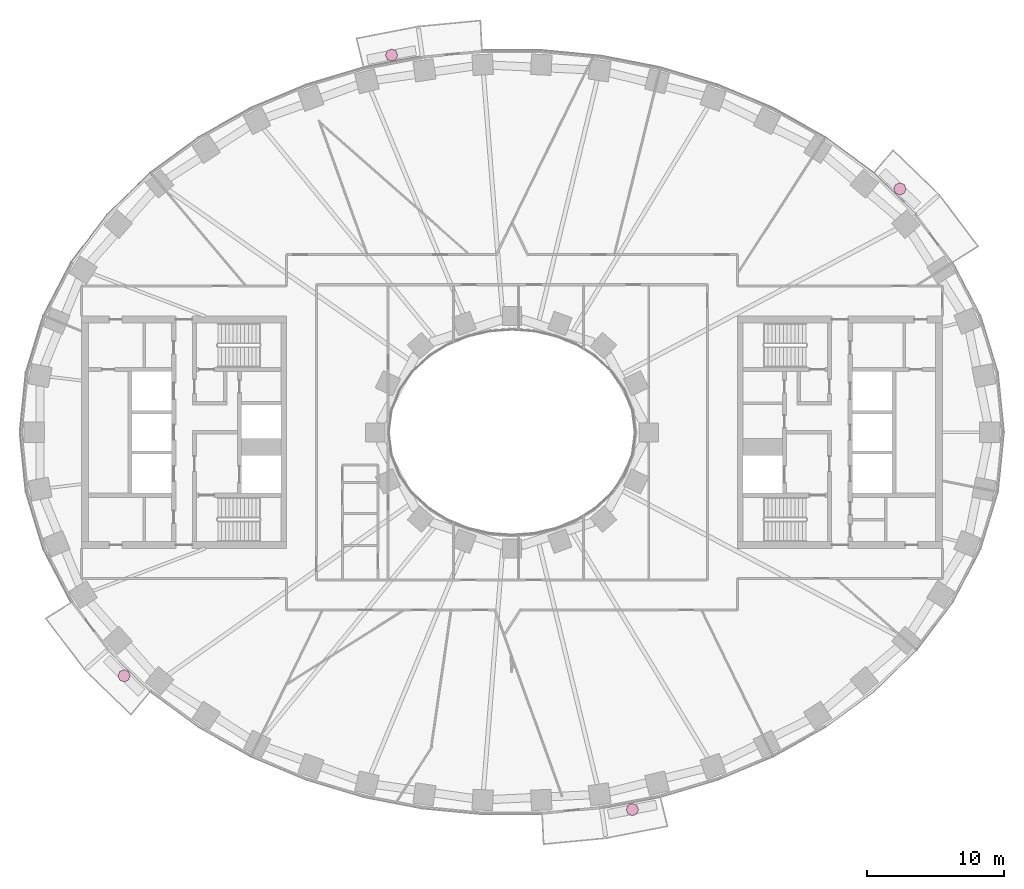
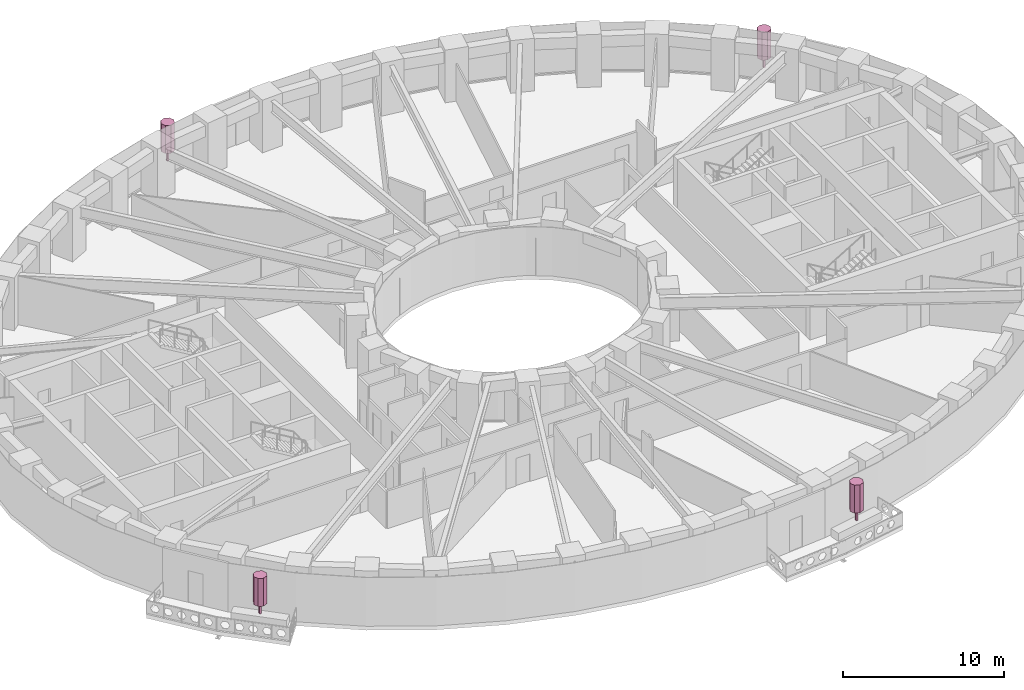
# One storey, part 16 of 16: 4 furnishings.
"""IFC4 building model written with IfcOpenShell, lengths in metres."""

import ifcopenshell
import ifcopenshell.guid

model = None  # the IFC model being written
_history = None  # IfcOwnerHistory: only IFC2X3 demands one
_inside = {}  # id of a spatial element -> (the spatial element, [elements in it])
_under = {}  # id of a project, library or spatial element -> (it, [spatial elements below it])
_declared = {}  # id of a project -> (the project, [libraries it declares])
_typed = {}  # id of a type object -> (the type object, [elements of that type])
_made_of = {}  # id of a material, layer set ... -> (it, [elements and type objects made of it])


def new_model(schema):
    """Start an empty IFC model of exactly this schema.

    Asked for "IFC4X3", IfcOpenShell would pick the latest addendum, in which some entities
    have other attributes; the version numbers below select the first issue.
    IFC2X3 requires an IfcOwnerHistory on every rooted entity: one is made here for all.
    """
    global model, _history
    if schema == "IFC4X3":
        model = ifcopenshell.file(schema_version=(4, 3, 0, 0))
    else:
        model = ifcopenshell.file(schema=schema)
    _inside.clear()
    _under.clear()
    _declared.clear()
    _typed.clear()
    _made_of.clear()
    _history = None
    if model.schema == "IFC2X3":
        org = make("IfcOrganization", Name="unknown")
        user = make(
            "IfcPersonAndOrganization",
            ThePerson=make("IfcPerson", FamilyName="unknown"),
            TheOrganization=org,
        )
        app = make(
            "IfcApplication",
            ApplicationDeveloper=org,
            Version="unknown",
            ApplicationFullName="unknown",
            ApplicationIdentifier="unknown",
        )
        _history = make(
            "IfcOwnerHistory",
            OwningUser=user,
            OwningApplication=app,
            ChangeAction="ADDED",
            CreationDate=0,
        )
    return model


def make(cls, **values):
    """One entity of the class cls with the attributes given. An attribute that is None is left unset."""
    return model.create_entity(
        cls, **{name: value for name, value in values.items() if value is not None}
    )


def rooted(cls, **values):
    """An entity with a GlobalId (a new one), such as an element, a storey or a relation."""
    return make(cls, GlobalId=ifcopenshell.guid.new(), OwnerHistory=_history, **values)


def si_unit(unit_type, name, prefix=None):
    """IfcSIUnit, for example si_unit("LENGTHUNIT", "METRE", prefix="MILLI")."""
    return make("IfcSIUnit", UnitType=unit_type, Prefix=prefix, Name=name)


def assignment(units):
    """IfcUnitAssignment: the units of a project."""
    return None if units is None else make("IfcUnitAssignment", Units=units)


def point(xyz):
    """IfcCartesianPoint."""
    return None if xyz is None else make("IfcCartesianPoint", Coordinates=xyz)


def direction(xyz):
    """IfcDirection."""
    return None if xyz is None else make("IfcDirection", DirectionRatios=xyz)


def frame(location, z_axis=None, x_axis=None):
    """IfcAxis2Placement3D, a coordinate frame: its origin and axes. An axis left out is left unset."""
    return make(
        "IfcAxis2Placement3D",
        Location=point(location),
        Axis=direction(z_axis),
        RefDirection=direction(x_axis),
    )


def frame_2d(location, x_axis=None):
    """IfcAxis2Placement2D, a coordinate frame in the plane: its origin and x axis."""
    return make(
        "IfcAxis2Placement2D", Location=point(location), RefDirection=direction(x_axis)
    )


def origin():
    """The frame at (0, 0, 0) with its axes left unset."""
    return frame((0.0, 0.0, 0.0))


def origin_2d():
    """The frame at (0, 0) in the plane with its x axis left unset."""
    return frame_2d((0.0, 0.0))


def place(relative_to, where):
    """IfcLocalPlacement: puts the frame where relative to a parent placement (None: the world)."""
    return make(
        "IfcLocalPlacement", PlacementRelTo=relative_to, RelativePlacement=where
    )


def context(
    kind, dimensions, precision=None, world=None, true_north=None, identifier=None
):
    """IfcGeometricRepresentationContext, for example the 3D "Model" context."""
    return make(
        "IfcGeometricRepresentationContext",
        ContextIdentifier=identifier,
        ContextType=kind,
        CoordinateSpaceDimension=dimensions,
        Precision=precision,
        WorldCoordinateSystem=world,
        TrueNorth=true_north,
    )


def subcontext(parent, identifier, kind, view, scale=None):
    """IfcGeometricRepresentationSubContext, for example "Body" below "Model"."""
    return make(
        "IfcGeometricRepresentationSubContext",
        ContextIdentifier=identifier,
        ContextType=kind,
        ParentContext=parent,
        TargetScale=scale,
        TargetView=view,
    )


def project(units=None, contexts=None):
    """IfcProject with its units and contexts."""
    return rooted(
        "IfcProject",
        Name="project",
        RepresentationContexts=contexts,
        UnitsInContext=assignment(units),
    )


def spatial(cls, under=None, at=None, **own):
    """A site, building, storey or space (cls), placed at a placement, below another one or the project."""
    s = rooted(cls, ObjectPlacement=at, **own)
    if under is not None:
        _under.setdefault(under.id(), (under, []))[1].append(s)
    return s


def polyline(points):
    """IfcPolyline through the points."""
    return make("IfcPolyline", Points=[point(p) for p in points])


def profile(cls, at=None, kind="AREA", **sizes):
    """A parametric profile (cls). Its sizes go by their IFC names, for example OverallWidth=200.0."""
    return make(cls, ProfileType=kind, Position=at, **sizes)


def rectangle(**sizes):
    """IfcRectangleProfileDef."""
    return profile("IfcRectangleProfileDef", **sizes)


def outline(outer, holes=None, kind="AREA"):
    """IfcArbitraryClosedProfileDef: a profile drawn as a closed curve; with holes, ...WithVoids."""
    if holes is None:
        return make("IfcArbitraryClosedProfileDef", ProfileType=kind, OuterCurve=outer)
    return make(
        "IfcArbitraryProfileDefWithVoids",
        ProfileType=kind,
        OuterCurve=outer,
        InnerCurves=holes,
    )


def extrude(swept, where, along, depth):
    """IfcExtrudedAreaSolid: the profile swept, set in the frame where, extruded along a direction by depth."""
    return make(
        "IfcExtrudedAreaSolid",
        SweptArea=swept,
        Position=where,
        ExtrudedDirection=direction(along),
        Depth=depth,
    )


def shape(context_of_items, identifier, shape_type, items):
    """IfcShapeRepresentation: the items that make up one representation, for example the "Body"."""
    return make(
        "IfcShapeRepresentation",
        ContextOfItems=context_of_items,
        RepresentationIdentifier=identifier,
        RepresentationType=shape_type,
        Items=items,
    )


def material(Name=None, Category=None):
    """IfcMaterial."""
    return make("IfcMaterial", Name=Name, Category=Category)


def made_of(thing, what):
    """Note that an element or type object is made of a material, layer set ...; save() writes the relation."""
    if what is not None:
        _made_of.setdefault(what.id(), (what, []))[1].append(thing)
    return thing


def type_object(cls, material=None, **own):
    """A type object (cls), such as IfcWallType, which elements share."""
    return made_of(rooted(cls, **own), material)


def element(
    cls,
    number,
    at=None,
    inside=None,
    cuts=None,
    type_object=None,
    material=None,
    context=None,
    identifier="Body",
    shape_type=None,
    held_by="IfcProductDefinitionShape",
    body=None,
    shapes=None,
    **own,
):
    """One element of the class cls, such as IfcWall. Its Tag is "e" and its number.

    at: its placement. inside: the storey or other place that contains it. cuts: it is an
    opening in that element (IfcRelVoidsElement). A single representation is given by context,
    identifier, shape_type and body (its items); several are given by shapes. held_by: the class
    of the entity that holds the representations. save() writes the other relations.
    """
    e = rooted(cls, Tag="e%d" % number, ObjectPlacement=at, **own)
    if body is not None:
        shapes = [shape(context, identifier, shape_type, body)]
    if shapes is not None:
        e.Representation = make(held_by, Representations=shapes)
    if inside is not None:
        _inside.setdefault(inside.id(), (inside, []))[1].append(e)
    if cuts is not None:
        rooted(
            "IfcRelVoidsElement", RelatingBuildingElement=cuts, RelatedOpeningElement=e
        )
    if type_object is not None:
        _typed.setdefault(type_object.id(), (type_object, []))[1].append(e)
    return made_of(e, material)


def aggregate(whole, parts):
    """IfcRelAggregates: a whole, such as a stair, and the parts it consists of."""
    return rooted("IfcRelAggregates", RelatingObject=whole, RelatedObjects=parts)


def save(model, path):
    """Write the relations noted so far, then the file.

    IfcRelAggregates (storeys below a building ...), IfcRelContainedInSpatialStructure (elements
    in a storey), IfcRelDefinesByType, IfcRelAssociatesMaterial and IfcRelDeclares: one each for
    every whole, place, type object, material and project.
    """
    for whole, parts in _under.values():
        aggregate(whole, parts)
    for where, things in _inside.values():
        rooted(
            "IfcRelContainedInSpatialStructure",
            RelatedElements=things,
            RelatingStructure=where,
        )
    for kind, things in _typed.values():
        rooted("IfcRelDefinesByType", RelatedObjects=things, RelatingType=kind)
    for what, things in _made_of.values():
        rooted("IfcRelAssociatesMaterial", RelatedObjects=things, RelatingMaterial=what)
    for by, libraries in _declared.values():
        rooted("IfcRelDeclares", RelatingContext=by, RelatedDefinitions=libraries)
    model.write(path)


model = new_model("IFC4")

# Units and contexts
model_context = context("Model", 3, precision=1e-05, world=origin(), true_north=direction((0.0, 1.0)))
body_context = subcontext(model_context, "Body", "Model", "MODEL_VIEW")
ifc_project = project(units=[si_unit("LENGTHUNIT", "METRE"), si_unit("AREAUNIT", "SQUARE_METRE"), si_unit("VOLUMEUNIT", "CUBIC_METRE"), si_unit("PLANEANGLEUNIT", "RADIAN"), si_unit("MASSUNIT", "GRAM", prefix="KILO")], contexts=[model_context])

# Site, building, storey
site_placement = place(None, origin())
site = spatial("IfcSite", under=ifc_project, at=site_placement, CompositionType="ELEMENT")
building_placement = place(site_placement, origin())
building = spatial("IfcBuilding", under=site, at=building_placement, Name="Noorbagh Ring Tower", CompositionType="ELEMENT")
storey_placement = place(building_placement, frame((0.0, 0.0, 54.5)))
storey = spatial("IfcBuildingStorey", under=building, at=storey_placement, Name="L11", CompositionType="ELEMENT", Elevation=54.5)

# Furnishings
ifc_material = material(Name="Planting foliage green")
furnishing_element_type = type_object("IfcFurnishingElementType", Name="ENV-TREE", material=ifc_material)
for number, where, z_axis, x_axis, name in (
    (1, (28.3837890625, 17.814208984375, 0.60009765625), (0.0, 0.0, 1.0), (1.0, 0.0, 0.0), "Tree BN01"),
    (2, (-8.807861328125, 27.603515625, 0.60009765625), (0.0, 0.0, 1.0), (1.0, 0.0, 0.0), "Tree BN04"),
    (3, (-28.3837890625, -17.814208984375, 0.60009765625), (0.0, 0.0, 1.0), (1.0, 0.0, 0.0), "Tree BS01"),
    (4, (8.807861328125, -27.603515625, 0.60009765625), (0.0, 0.0, 1.0), (1.0, 0.0, 0.0), "Tree BS04"),
):
    element("IfcFurnishingElement", number, at=place(storey_placement, frame(where, z_axis=z_axis, x_axis=x_axis)), inside=storey, type_object=furnishing_element_type, Name=name, context=body_context, shape_type="SweptSolid", body=[
        extrude(rectangle(XDim=0.1201171875, YDim=0.1201171875, at=origin_2d()), origin(), (0.0, 0.0, 1.0), 0.825927734375),
        extrude(outline(polyline([(0.449951171875, 0.0), (0.318115234375, 0.318115234375), (0.0, 0.449951171875), (-0.318115234375, 0.318115234375), (-0.449951171875, 0.0), (-0.318115234375, -0.318115234375), (0.0, -0.449951171875), (0.318115234375, -0.318115234375), (0.449951171875, 0.0)])), frame((0.0, 0.0, 0.825927734375)), (0.0, 0.0, 1.0), 2.1240234375),
    ])

save(model, "model.ifc")
